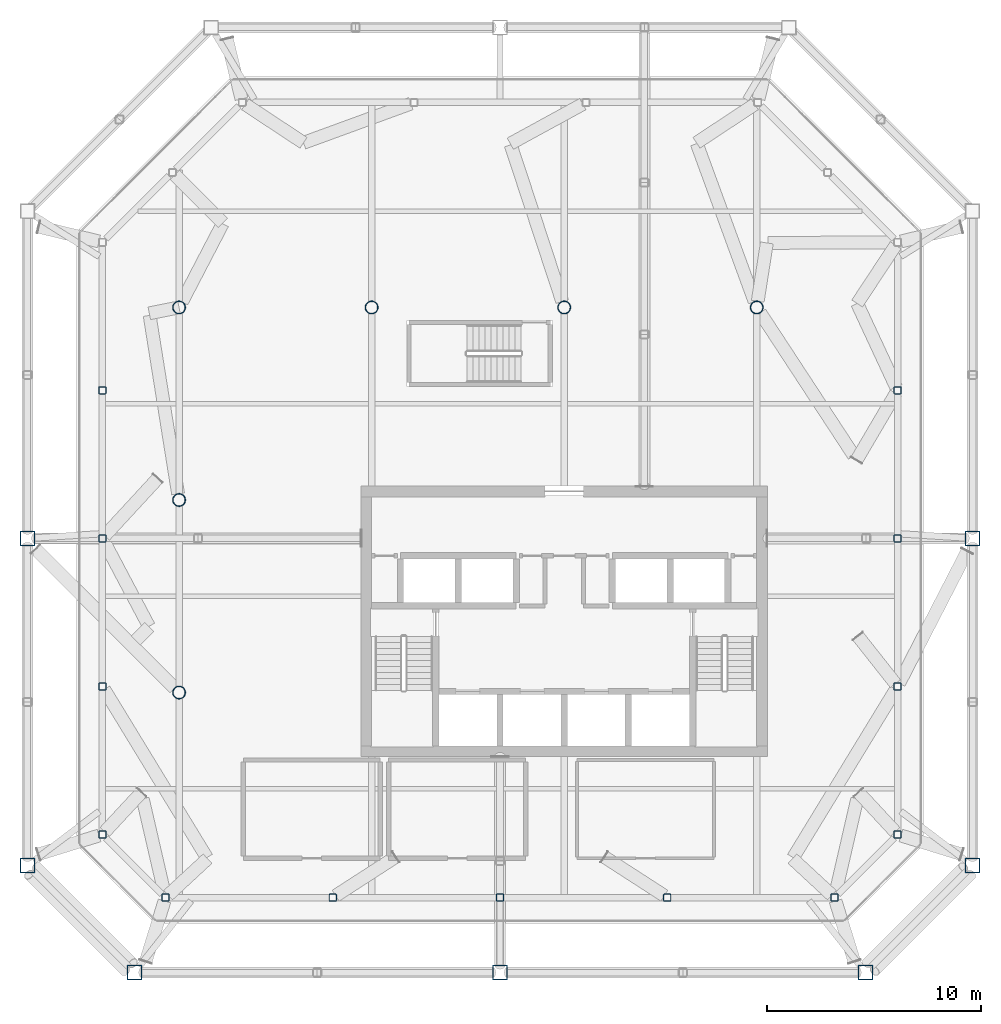
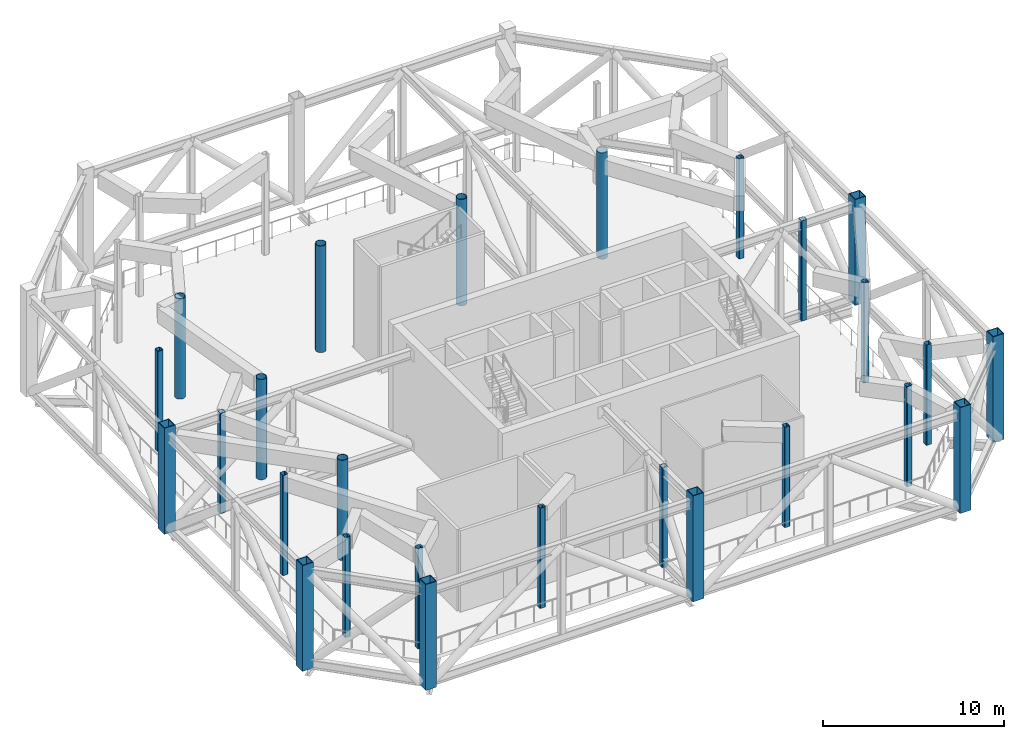
# One storey, part 1 of 17: 26 columns.
"""IFC4 building model written with IfcOpenShell, lengths in metres."""

import ifcopenshell
import ifcopenshell.guid

model = None  # the IFC model being written
_history = None  # IfcOwnerHistory: only IFC2X3 demands one
_inside = {}  # id of a spatial element -> (the spatial element, [elements in it])
_under = {}  # id of a project, library or spatial element -> (it, [spatial elements below it])
_declared = {}  # id of a project -> (the project, [libraries it declares])
_typed = {}  # id of a type object -> (the type object, [elements of that type])
_made_of = {}  # id of a material, layer set ... -> (it, [elements and type objects made of it])


def new_model(schema):
    """Start an empty IFC model of exactly this schema.

    Asked for "IFC4X3", IfcOpenShell would pick the latest addendum, in which some entities
    have other attributes; the version numbers below select the first issue.
    IFC2X3 requires an IfcOwnerHistory on every rooted entity: one is made here for all.
    """
    global model, _history
    if schema == "IFC4X3":
        model = ifcopenshell.file(schema_version=(4, 3, 0, 0))
    else:
        model = ifcopenshell.file(schema=schema)
    _inside.clear()
    _under.clear()
    _declared.clear()
    _typed.clear()
    _made_of.clear()
    _history = None
    if model.schema == "IFC2X3":
        org = make("IfcOrganization", Name="unknown")
        user = make(
            "IfcPersonAndOrganization",
            ThePerson=make("IfcPerson", FamilyName="unknown"),
            TheOrganization=org,
        )
        app = make(
            "IfcApplication",
            ApplicationDeveloper=org,
            Version="unknown",
            ApplicationFullName="unknown",
            ApplicationIdentifier="unknown",
        )
        _history = make(
            "IfcOwnerHistory",
            OwningUser=user,
            OwningApplication=app,
            ChangeAction="ADDED",
            CreationDate=0,
        )
    return model


def make(cls, **values):
    """One entity of the class cls with the attributes given. An attribute that is None is left unset."""
    return model.create_entity(
        cls, **{name: value for name, value in values.items() if value is not None}
    )


def rooted(cls, **values):
    """An entity with a GlobalId (a new one), such as an element, a storey or a relation."""
    return make(cls, GlobalId=ifcopenshell.guid.new(), OwnerHistory=_history, **values)


def si_unit(unit_type, name, prefix=None):
    """IfcSIUnit, for example si_unit("LENGTHUNIT", "METRE", prefix="MILLI")."""
    return make("IfcSIUnit", UnitType=unit_type, Prefix=prefix, Name=name)


def assignment(units):
    """IfcUnitAssignment: the units of a project."""
    return None if units is None else make("IfcUnitAssignment", Units=units)


def point(xyz):
    """IfcCartesianPoint."""
    return None if xyz is None else make("IfcCartesianPoint", Coordinates=xyz)


def direction(xyz):
    """IfcDirection."""
    return None if xyz is None else make("IfcDirection", DirectionRatios=xyz)


def frame(location, z_axis=None, x_axis=None):
    """IfcAxis2Placement3D, a coordinate frame: its origin and axes. An axis left out is left unset."""
    return make(
        "IfcAxis2Placement3D",
        Location=point(location),
        Axis=direction(z_axis),
        RefDirection=direction(x_axis),
    )


def frame_2d(location, x_axis=None):
    """IfcAxis2Placement2D, a coordinate frame in the plane: its origin and x axis."""
    return make(
        "IfcAxis2Placement2D", Location=point(location), RefDirection=direction(x_axis)
    )


def origin():
    """The frame at (0, 0, 0) with its axes left unset."""
    return frame((0.0, 0.0, 0.0))


def origin_2d():
    """The frame at (0, 0) in the plane with its x axis left unset."""
    return frame_2d((0.0, 0.0))


def place(relative_to, where):
    """IfcLocalPlacement: puts the frame where relative to a parent placement (None: the world)."""
    return make(
        "IfcLocalPlacement", PlacementRelTo=relative_to, RelativePlacement=where
    )


def context(
    kind, dimensions, precision=None, world=None, true_north=None, identifier=None
):
    """IfcGeometricRepresentationContext, for example the 3D "Model" context."""
    return make(
        "IfcGeometricRepresentationContext",
        ContextIdentifier=identifier,
        ContextType=kind,
        CoordinateSpaceDimension=dimensions,
        Precision=precision,
        WorldCoordinateSystem=world,
        TrueNorth=true_north,
    )


def subcontext(parent, identifier, kind, view, scale=None):
    """IfcGeometricRepresentationSubContext, for example "Body" below "Model"."""
    return make(
        "IfcGeometricRepresentationSubContext",
        ContextIdentifier=identifier,
        ContextType=kind,
        ParentContext=parent,
        TargetScale=scale,
        TargetView=view,
    )


def project(units=None, contexts=None):
    """IfcProject with its units and contexts."""
    return rooted(
        "IfcProject",
        Name="project",
        RepresentationContexts=contexts,
        UnitsInContext=assignment(units),
    )


def spatial(cls, under=None, at=None, **own):
    """A site, building, storey or space (cls), placed at a placement, below another one or the project."""
    s = rooted(cls, ObjectPlacement=at, **own)
    if under is not None:
        _under.setdefault(under.id(), (under, []))[1].append(s)
    return s


def profile(cls, at=None, kind="AREA", **sizes):
    """A parametric profile (cls). Its sizes go by their IFC names, for example OverallWidth=200.0."""
    return make(cls, ProfileType=kind, Position=at, **sizes)


def hollow_rectangle(**sizes):
    """IfcRectangleHollowProfileDef."""
    return profile("IfcRectangleHollowProfileDef", **sizes)


def hollow_circle(**sizes):
    """IfcCircleHollowProfileDef."""
    return profile("IfcCircleHollowProfileDef", **sizes)


def extrude(swept, where, along, depth):
    """IfcExtrudedAreaSolid: the profile swept, set in the frame where, extruded along a direction by depth."""
    return make(
        "IfcExtrudedAreaSolid",
        SweptArea=swept,
        Position=where,
        ExtrudedDirection=direction(along),
        Depth=depth,
    )


def shape(context_of_items, identifier, shape_type, items):
    """IfcShapeRepresentation: the items that make up one representation, for example the "Body"."""
    return make(
        "IfcShapeRepresentation",
        ContextOfItems=context_of_items,
        RepresentationIdentifier=identifier,
        RepresentationType=shape_type,
        Items=items,
    )


def material(Name=None, Category=None):
    """IfcMaterial."""
    return make("IfcMaterial", Name=Name, Category=Category)


def material_profile(
    of_material, cross_section, Name=None, Category=None, Priority=None
):
    """IfcMaterialProfile: a cross section and its material."""
    return make(
        "IfcMaterialProfile",
        Name=Name,
        Material=of_material,
        Profile=cross_section,
        Priority=Priority,
        Category=Category,
    )


def profile_set(profiles, Name=None, composite=None):
    """IfcMaterialProfileSet."""
    return make(
        "IfcMaterialProfileSet",
        Name=Name,
        MaterialProfiles=profiles,
        CompositeProfile=composite,
    )


def made_of(thing, what):
    """Note that an element or type object is made of a material, layer set ...; save() writes the relation."""
    if what is not None:
        _made_of.setdefault(what.id(), (what, []))[1].append(thing)
    return thing


def type_object(cls, material=None, **own):
    """A type object (cls), such as IfcWallType, which elements share."""
    return made_of(rooted(cls, **own), material)


def element(
    cls,
    number,
    at=None,
    inside=None,
    cuts=None,
    type_object=None,
    material=None,
    context=None,
    identifier="Body",
    shape_type=None,
    held_by="IfcProductDefinitionShape",
    body=None,
    shapes=None,
    **own,
):
    """One element of the class cls, such as IfcWall. Its Tag is "e" and its number.

    at: its placement. inside: the storey or other place that contains it. cuts: it is an
    opening in that element (IfcRelVoidsElement). A single representation is given by context,
    identifier, shape_type and body (its items); several are given by shapes. held_by: the class
    of the entity that holds the representations. save() writes the other relations.
    """
    e = rooted(cls, Tag="e%d" % number, ObjectPlacement=at, **own)
    if body is not None:
        shapes = [shape(context, identifier, shape_type, body)]
    if shapes is not None:
        e.Representation = make(held_by, Representations=shapes)
    if inside is not None:
        _inside.setdefault(inside.id(), (inside, []))[1].append(e)
    if cuts is not None:
        rooted(
            "IfcRelVoidsElement", RelatingBuildingElement=cuts, RelatedOpeningElement=e
        )
    if type_object is not None:
        _typed.setdefault(type_object.id(), (type_object, []))[1].append(e)
    return made_of(e, material)


def aggregate(whole, parts):
    """IfcRelAggregates: a whole, such as a stair, and the parts it consists of."""
    return rooted("IfcRelAggregates", RelatingObject=whole, RelatedObjects=parts)


def save(model, path):
    """Write the relations noted so far, then the file.

    IfcRelAggregates (storeys below a building ...), IfcRelContainedInSpatialStructure (elements
    in a storey), IfcRelDefinesByType, IfcRelAssociatesMaterial and IfcRelDeclares: one each for
    every whole, place, type object, material and project.
    """
    for whole, parts in _under.values():
        aggregate(whole, parts)
    for where, things in _inside.values():
        rooted(
            "IfcRelContainedInSpatialStructure",
            RelatedElements=things,
            RelatingStructure=where,
        )
    for kind, things in _typed.values():
        rooted("IfcRelDefinesByType", RelatedObjects=things, RelatingType=kind)
    for what, things in _made_of.values():
        rooted("IfcRelAssociatesMaterial", RelatedObjects=things, RelatingMaterial=what)
    for by, libraries in _declared.values():
        rooted("IfcRelDeclares", RelatingContext=by, RelatedDefinitions=libraries)
    model.write(path)


model = new_model("IFC4")

# Units and contexts
model_context = context("Model", 3, precision=1e-05, world=origin(), true_north=direction((0.0, 1.0)))
body_context = subcontext(model_context, "Body", "Model", "MODEL_VIEW")
ifc_project = project(units=[si_unit("LENGTHUNIT", "METRE"), si_unit("AREAUNIT", "SQUARE_METRE"), si_unit("VOLUMEUNIT", "CUBIC_METRE"), si_unit("PLANEANGLEUNIT", "RADIAN"), si_unit("MASSUNIT", "GRAM", prefix="KILO")], contexts=[model_context])

# Site, building, storey
site_placement = place(None, origin())
site = spatial("IfcSite", under=ifc_project, at=site_placement, CompositionType="ELEMENT")
building_placement = place(site_placement, origin())
building = spatial("IfcBuilding", under=site, at=building_placement, Name="Tskaro Facet Tower", CompositionType="ELEMENT")
storey_placement = place(building_placement, frame((0.0, 0.0, 210.0)))
storey = spatial("IfcBuildingStorey", under=building, at=storey_placement, Name="L54", CompositionType="ELEMENT", Elevation=210.0)

# Columns
ifc_material_1 = material(Name="Steel S460M", Category="steel")
ifc_material_profile_1 = material_profile(ifc_material_1, hollow_rectangle(XDim=0.699951171875, YDim=0.699951171875, WallThickness=0.044921875, at=origin_2d()), Name="BOX 700x700x45")
ifc_profile_set_1 = profile_set([ifc_material_profile_1], Name="Steel S460M")
column_type_1 = type_object("IfcColumnType", Name="BOX 700x700x45 mega column", PredefinedType="COLUMN", material=ifc_profile_set_1)
column_1_placement = place(storey_placement, frame((-20.083984375, -22.0849609375, 0.0), z_axis=(0.0, 0.0, 1.0), x_axis=(1.0, 0.0, 0.0)))
element("IfcColumn", 1, at=column_1_placement, inside=storey, type_object=column_type_1, Name="BOX 700x700x45 MC01/4T", PredefinedType="COLUMN", context=body_context, shape_type="SweptSolid", body=[
    extrude(hollow_rectangle(XDim=0.699951171875, YDim=0.699951171875, WallThickness=0.044921875, at=origin_2d()), origin(), (0.0, 0.0, 1.0), 7.157958984375),
])
column_2_placement = place(storey_placement, frame((-3.0, -22.0849609375, 0.0), z_axis=(0.0, 0.0, 1.0), x_axis=(1.0, 0.0, 0.0)))
element("IfcColumn", 2, at=column_2_placement, inside=storey, type_object=column_type_1, Name="BOX 700x700x45 MC02/4T", PredefinedType="COLUMN", context=body_context, shape_type="SweptSolid", body=[
    extrude(hollow_rectangle(XDim=0.699951171875, YDim=0.699951171875, WallThickness=0.044921875, at=origin_2d()), origin(), (0.0, 0.0, 1.0), 7.168212890625),
])
for number, where, z_axis, x_axis, name in (
    (3, (14.083984375, -22.0849609375, 0.0), (0.0, 0.0, 1.0), (1.0, 0.0, 0.0), "BOX 700x700x45 MC03/4T"),
    (4, (19.0849609375, -17.083984375, 0.0), (0.0, 0.0, 1.0), (1.0, 0.0, 0.0), "BOX 700x700x45 MC04/4T"),
):
    element("IfcColumn", number, at=place(storey_placement, frame(where, z_axis=z_axis, x_axis=x_axis)), inside=storey, type_object=column_type_1, Name=name, PredefinedType="COLUMN", context=body_context, shape_type="SweptSolid", body=[
        extrude(hollow_rectangle(XDim=0.699951171875, YDim=0.699951171875, WallThickness=0.044921875, at=origin_2d()), origin(), (0.0, 0.0, 1.0), 7.157958984375),
    ])
for number, where, z_axis, x_axis, name in (
    (5, (19.0849609375, -1.79296875, 0.0), (0.0, 0.0, 1.0), (1.0, 0.0, 0.0), "BOX 700x700x45 MC05/4T"),
    (6, (-25.0849609375, -1.79296875, 0.0), (0.0, 0.0, 1.0), (1.0, 0.0, 0.0), "BOX 700x700x45 MC11/4T"),
):
    element("IfcColumn", number, at=place(storey_placement, frame(where, z_axis=z_axis, x_axis=x_axis)), inside=storey, type_object=column_type_1, Name=name, PredefinedType="COLUMN", context=body_context, shape_type="SweptSolid", body=[
        extrude(hollow_rectangle(XDim=0.699951171875, YDim=0.699951171875, WallThickness=0.044921875, at=origin_2d()), origin(), (0.0, 0.0, 1.0), 7.167724609375),
    ])
column_3_placement = place(storey_placement, frame((-25.0849609375, -17.083984375, 0.0), z_axis=(0.0, 0.0, 1.0), x_axis=(1.0, 0.0, 0.0)))
element("IfcColumn", 7, at=column_3_placement, inside=storey, type_object=column_type_1, Name="BOX 700x700x45 MC12/4T", PredefinedType="COLUMN", context=body_context, shape_type="SweptSolid", body=[
    extrude(hollow_rectangle(XDim=0.699951171875, YDim=0.699951171875, WallThickness=0.044921875, at=origin_2d()), origin(), (0.0, 0.0, 1.0), 7.157958984375),
])
ifc_material_2 = material(Name="Steel S355J2H", Category="steel")
ifc_material_profile_2 = material_profile(ifc_material_2, hollow_circle(Radius=0.304931640625, WallThickness=0.030029296875, at=origin_2d()), Name="CHS 610x30")
ifc_profile_set_2 = profile_set([ifc_material_profile_2], Name="Steel S355J2H")
column_type_2 = type_object("IfcColumnType", Name="CHS 610x30 interior column", PredefinedType="COLUMN", material=ifc_profile_set_2)
for number, where, z_axis, x_axis, name in (
    (8, (-18.0, -9.0, 0.0), (0.0, 0.0, 1.0), (1.0, 0.0, 0.0), "CHS 610x30 C2C/4"),
    (9, (-18.0, 0.0, 0.0), (0.0, 0.0, 1.0), (1.0, 0.0, 0.0), "CHS 610x30 C2D/4"),
    (10, (-18.0, 9.0, 0.0), (0.0, 0.0, 1.0), (1.0, 0.0, 0.0), "CHS 610x30 C2E/4"),
):
    element("IfcColumn", number, at=place(storey_placement, frame(where, z_axis=z_axis, x_axis=x_axis)), inside=storey, type_object=column_type_2, Name=name, PredefinedType="COLUMN", context=body_context, shape_type="SweptSolid", body=[
        extrude(hollow_circle(Radius=0.304931640625, WallThickness=0.030029296875, at=origin_2d()), origin(), (0.0, 0.0, 1.0), 6.780029296875),
    ])
for number, where, z_axis, x_axis, name in (
    (11, (-9.0, 9.0, 0.0), (0.0, 0.0, 1.0), (1.0, 0.0, 0.0), "CHS 610x30 C3E/4"),
    (12, (0.0, 9.0, 0.0), (0.0, 0.0, 1.0), (1.0, 0.0, 0.0), "CHS 610x30 C4E/4"),
    (13, (9.0, 9.0, 0.0), (0.0, 0.0, 1.0), (1.0, 0.0, 0.0), "CHS 610x30 C5E/4"),
):
    element("IfcColumn", number, at=place(storey_placement, frame(where, z_axis=z_axis, x_axis=x_axis)), inside=storey, type_object=column_type_2, Name=name, PredefinedType="COLUMN", context=body_context, shape_type="SweptSolid", body=[
        extrude(hollow_circle(Radius=0.304931640625, WallThickness=0.030029296875, at=origin_2d()), origin(), (0.0, 0.0, 1.0), 7.199951171875),
    ])
ifc_material_profile_3 = material_profile(ifc_material_2, hollow_rectangle(XDim=0.35009765625, YDim=0.35009765625, WallThickness=0.02001953125, InnerFilletRadius=0.030029296875, OuterFilletRadius=0.050048828125, at=origin_2d()), Name="SHS 350x350x20")
ifc_profile_set_3 = profile_set([ifc_material_profile_3], Name="Steel S355J2H")
column_type_3 = type_object("IfcColumnType", Name="SHS 350x350x20 ring column", PredefinedType="COLUMN", material=ifc_profile_set_3)
for number, where, z_axis, x_axis, name in (
    (14, (-18.633056640625, -18.5830078125, 0.0), (0.0, 0.0, 1.0), (1.0, 0.0, 0.0), "SHS 350x350x20 RS-1/4"),
    (15, (-10.81591796875, -18.5830078125, 0.0), (0.0, 0.0, 1.0), (1.0, 0.0, 0.0), "SHS 350x350x20 RS-2/4"),
    (16, (-3.0, -18.5830078125, 0.0), (0.0, 0.0, 1.0), (1.0, 0.0, 0.0), "SHS 350x350x20 RS-3/4"),
    (17, (4.81689453125, -18.5830078125, 0.0), (0.0, 0.0, 1.0), (1.0, 0.0, 0.0), "SHS 350x350x20 RS-4/4"),
    (18, (12.633056640625, -18.5830078125, 0.0), (0.0, 0.0, 1.0), (1.0, 0.0, 0.0), "SHS 350x350x20 RSE-1/4"),
    (19, (15.5830078125, -15.633056640625, 0.0), (0.0, 0.0, 1.0), (1.0, 0.0, 0.0), "SHS 350x350x20 RE-1/4"),
    (20, (15.5830078125, -8.712890625, 0.0), (0.0, 0.0, 1.0), (1.0, 0.0, 0.0), "SHS 350x350x20 RE-2/4"),
    (21, (15.5830078125, -1.79296875, 0.0), (0.0, 0.0, 1.0), (1.0, 0.0, 0.0), "SHS 350x350x20 RE-3/4"),
    (22, (15.5830078125, 5.1259765625, 0.0), (0.0, 0.0, 1.0), (1.0, 0.0, 0.0), "SHS 350x350x20 RE-4/4"),
    (23, (-21.5830078125, 5.1259765625, 0.0), (0.0, 0.0, 1.0), (1.0, 0.0, 0.0), "SHS 350x350x20 RW-2/4"),
    (24, (-21.5830078125, -1.79296875, 0.0), (0.0, 0.0, 1.0), (1.0, 0.0, 0.0), "SHS 350x350x20 RW-3/4"),
    (25, (-21.5830078125, -8.712890625, 0.0), (0.0, 0.0, 1.0), (1.0, 0.0, 0.0), "SHS 350x350x20 RW-4/4"),
    (26, (-21.5830078125, -15.633056640625, 0.0), (0.0, 0.0, 1.0), (1.0, 0.0, 0.0), "SHS 350x350x20 RSW-1/4"),
):
    element("IfcColumn", number, at=place(storey_placement, frame(where, z_axis=z_axis, x_axis=x_axis)), inside=storey, type_object=column_type_3, Name=name, PredefinedType="COLUMN", context=body_context, shape_type="SweptSolid", body=[
        extrude(hollow_rectangle(XDim=0.35009765625, YDim=0.35009765625, WallThickness=0.02001953125, InnerFilletRadius=0.030029296875, OuterFilletRadius=0.050048828125, at=origin_2d()), origin(), (0.0, 0.0, 1.0), 6.780029296875),
    ])

save(model, "model.ifc")
